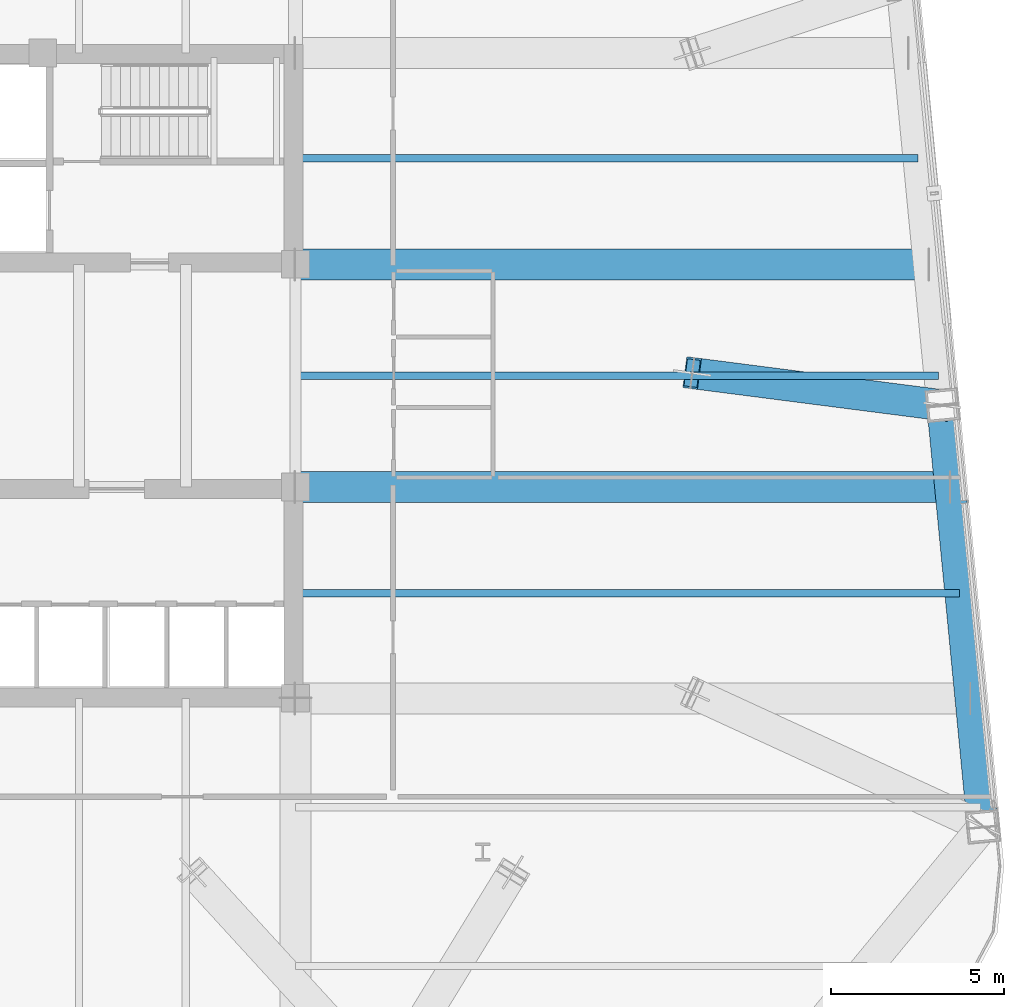
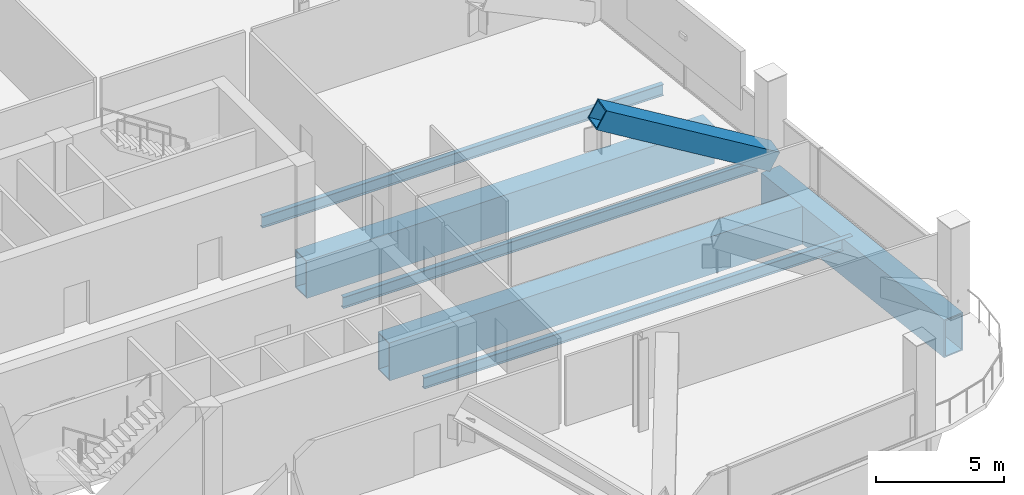
# One storey, part 12 of 30: 6 beams, 1 member.
"""IFC4 building model written with IfcOpenShell, lengths in metres."""

from ifc_helpers import new_model, si_unit, direction, frame, origin, origin_2d, place, context, subcontext, project, spatial, hollow_rectangle, i_section, extrude, material, material_profile, profile_set, type_object, element, save


model = new_model("IFC4")

# Units and contexts
model_context = context("Model", 3, precision=1e-05, world=origin(), true_north=direction((0.0, 1.0)))
body_context = subcontext(model_context, "Body", "Model", "MODEL_VIEW")
ifc_project = project(units=[si_unit("LENGTHUNIT", "METRE"), si_unit("AREAUNIT", "SQUARE_METRE"), si_unit("VOLUMEUNIT", "CUBIC_METRE"), si_unit("PLANEANGLEUNIT", "RADIAN"), si_unit("MASSUNIT", "GRAM", prefix="KILO")], contexts=[model_context])

# Site, building, storey
site_placement = place(None, origin())
site = spatial("IfcSite", under=ifc_project, at=site_placement, CompositionType="ELEMENT")
building_placement = place(site_placement, origin())
building = spatial("IfcBuilding", under=site, at=building_placement, Name="Qhalaya Broadcast Tower", CompositionType="ELEMENT")
storey_placement = place(building_placement, frame((0.0, 0.0, 96.89990234375)))
storey = spatial("IfcBuildingStorey", under=building, at=storey_placement, Name="L28", CompositionType="ELEMENT", Elevation=96.89990234375)

# Beams
ifc_material_1 = material(Name="Structural Steel ASTM A572 Grade 50", Category="steel")
ifc_material_profile_1 = material_profile(ifc_material_1, hollow_rectangle(XDim=0.89990234375, YDim=1.800048828125, WallThickness=0.06005859375, at=origin_2d()), Name="BOX 900x1800x60")
ifc_profile_set_1 = profile_set([ifc_material_profile_1], Name="Structural Steel ASTM A572 Grade 50")
beam_type_1 = type_object("IfcBeamType", Name="Block Cantilever Transfer Box Girder TG1", PredefinedType="USERDEFINED", material=ifc_profile_set_1)
beam_1_placement = place(storey_placement, frame((29.29248046875, -12.46533203125, -1.119873046875), z_axis=(-0.095831866369, 0.995397535354, 0.0), x_axis=(-0.995397535354, -0.095831866369, 0.0)))
element("IfcBeam", 1, at=beam_1_placement, inside=storey, type_object=beam_type_1, Name="L28 TG1 L28-SPR-05", ObjectType="GIRDER", PredefinedType="USERDEFINED", context=body_context, shape_type="SweptSolid", body=[
    extrude(hollow_rectangle(XDim=0.89990234375, YDim=1.800048828125, WallThickness=0.06005859375, at=origin_2d()), origin(), (0.0, 0.0, 1.0), 12.2666015625),
])
beam_2_placement = place(storey_placement, frame((9.375, -2.625, -1.119873046875), z_axis=(1.0, 0.0, 0.0), x_axis=(0.0, 1.0, 0.0)))
element("IfcBeam", 2, at=beam_2_placement, inside=storey, type_object=beam_type_1, Name="L28 TG1 L28-PGYE2-1", ObjectType="GIRDER", PredefinedType="USERDEFINED", context=body_context, shape_type="SweptSolid", body=[
    extrude(hollow_rectangle(XDim=0.89990234375, YDim=1.800048828125, WallThickness=0.06005859375, at=origin_2d()), origin(), (0.0, 0.0, 1.0), 18.949951171875),
])
beam_3_placement = place(storey_placement, frame((9.375, 3.824951171875, -1.119873046875), z_axis=(1.0, 0.0, 0.0), x_axis=(0.0, 1.0, 0.0)))
element("IfcBeam", 3, at=beam_3_placement, inside=storey, type_object=beam_type_1, Name="L28 TG1 L28-PGYE3-1", ObjectType="GIRDER", PredefinedType="USERDEFINED", context=body_context, shape_type="SweptSolid", body=[
    extrude(hollow_rectangle(XDim=0.89990234375, YDim=1.800048828125, WallThickness=0.06005859375, at=origin_2d()), origin(), (0.0, 0.0, 1.0), 18.328857421875),
])
ifc_material_2 = material(Name="Structural Steel ASTM A992 Grade 50", Category="steel")
ifc_material_profile_2 = material_profile(ifc_material_2, i_section(OverallWidth=0.2099609375, OverallDepth=0.535888671875, WebThickness=0.010986328125, FlangeThickness=0.017333984375, at=origin_2d()), Name="W21X68")
ifc_profile_set_2 = profile_set([ifc_material_profile_2], Name="Structural Steel ASTM A992 Grade 50")
beam_type_2 = type_object("IfcBeamType", Name="Composite Floor Joist J02", PredefinedType="JOIST", material=ifc_profile_set_2)
beam_4_placement = place(storey_placement, frame((9.375, -5.699951171875, -0.48779296875), z_axis=(1.0, 0.0, 0.0), x_axis=(0.0, 1.0, 0.0)))
element("IfcBeam", 4, at=beam_4_placement, inside=storey, type_object=beam_type_2, Name="L28 J02 L28-JWE3E-1", PredefinedType="JOIST", context=body_context, shape_type="SweptSolid", body=[
    extrude(i_section(OverallWidth=0.2099609375, OverallDepth=0.535888671875, WebThickness=0.010986328125, FlangeThickness=0.017333984375, at=origin_2d()), origin(), (0.0, 0.0, 1.0), 19.24609375),
])
beam_5_placement = place(storey_placement, frame((9.375, 0.60009765625, -0.48779296875), z_axis=(1.0, 0.0, 0.0), x_axis=(0.0, 1.0, 0.0)))
element("IfcBeam", 5, at=beam_5_placement, inside=storey, type_object=beam_type_2, Name="L28 J02 L28-JWE4E-1", PredefinedType="JOIST", context=body_context, shape_type="SweptSolid", body=[
    extrude(i_section(OverallWidth=0.2099609375, OverallDepth=0.535888671875, WebThickness=0.010986328125, FlangeThickness=0.017333984375, at=origin_2d()), origin(), (0.0, 0.0, 1.0), 18.639404296875),
])
beam_6_placement = place(storey_placement, frame((9.375, 6.89990234375, -0.48779296875), z_axis=(1.0, 0.0, 0.0), x_axis=(0.0, 1.0, 0.0)))
element("IfcBeam", 6, at=beam_6_placement, inside=storey, type_object=beam_type_2, Name="L28 J02 L28-JWE5E-1", PredefinedType="JOIST", context=body_context, shape_type="SweptSolid", body=[
    extrude(i_section(OverallWidth=0.2099609375, OverallDepth=0.535888671875, WebThickness=0.010986328125, FlangeThickness=0.017333984375, at=origin_2d()), origin(), (0.0, 0.0, 1.0), 18.03271484375),
])

# Member
ifc_material_profile_3 = material_profile(ifc_material_1, hollow_rectangle(XDim=0.89990234375, YDim=0.89990234375, WallThickness=0.054931640625, at=origin_2d()), Name="BOX 900x900x55")
ifc_profile_set_3 = profile_set([ifc_material_profile_3], Name="Structural Steel ASTM A572 Grade 50")
member_type = type_object("IfcMemberType", Name="Heavy Exoskeleton Transfer Strut RK1", PredefinedType="BRACE", material=ifc_profile_set_3)
member_placement = place(storey_placement, frame((28.116943359375, -0.255126953125, 0.406005859375), z_axis=(-0.872790105668, 0.112233933003, 0.475016816261), x_axis=(-0.127541934581, -0.991833178979, 0.0)))
element("IfcMember", 7, at=member_placement, inside=storey, type_object=member_type, Name="L28 Inclined Exoskeleton Transfer Strut 06", PredefinedType="BRACE", context=body_context, shape_type="SweptSolid", body=[
    extrude(hollow_rectangle(XDim=0.89990234375, YDim=0.89990234375, WallThickness=0.054931640625, at=origin_2d()), origin(), (0.0, 0.0, 1.0), 8.302978515625),
])

save(model, "model.ifc")
